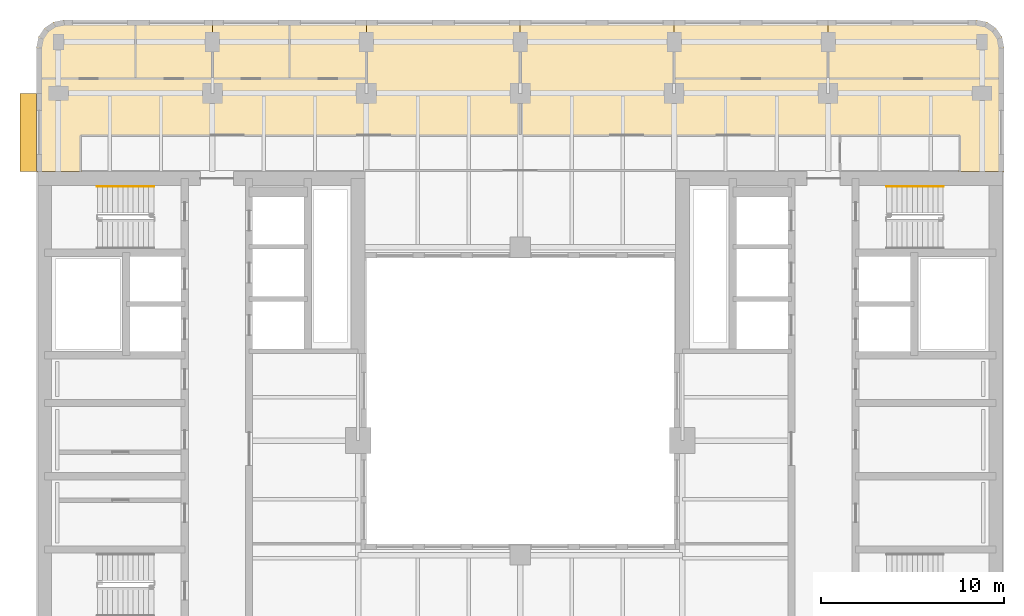
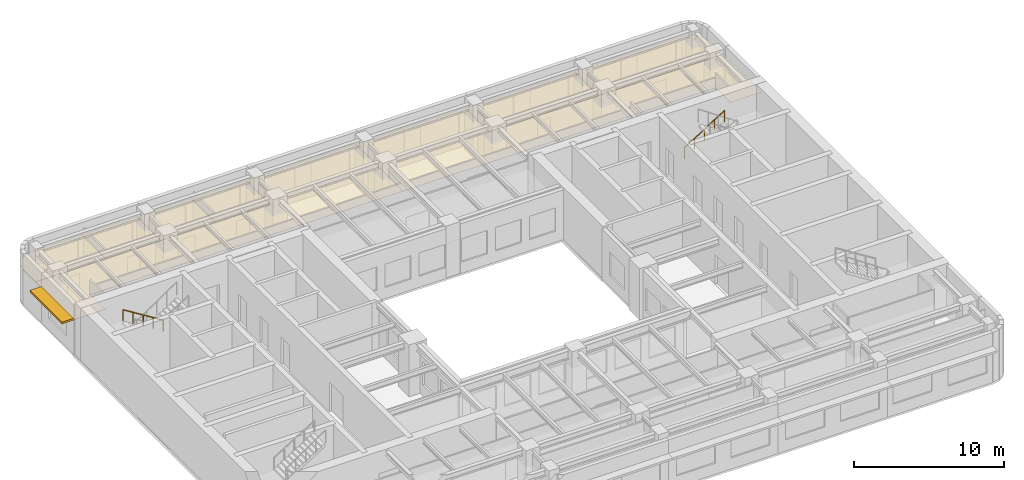
# One storey, part 11 of 11: 8 coverings, 2 railings, 1 shading device.
"""IFC4 building model written with IfcOpenShell, lengths in metres."""

from ifc_helpers import new_model, si_unit, direction, frame, origin, origin_2d, place, context, subcontext, project, spatial, polyline, rectangle, circle, outline, extrude, material, layer, layer_set, type_object, element, save


model = new_model("IFC4")

# Units and contexts
model_context = context("Model", 3, precision=1e-05, world=origin(), true_north=direction((0.0, 1.0)))
body_context = subcontext(model_context, "Body", "Model", "MODEL_VIEW")
ifc_project = project(units=[si_unit("LENGTHUNIT", "METRE"), si_unit("AREAUNIT", "SQUARE_METRE"), si_unit("VOLUMEUNIT", "CUBIC_METRE"), si_unit("PLANEANGLEUNIT", "RADIAN"), si_unit("MASSUNIT", "GRAM", prefix="KILO")], contexts=[model_context])

# Site, building, storey
site_placement = place(None, origin())
site = spatial("IfcSite", under=ifc_project, at=site_placement, CompositionType="ELEMENT")
building_placement = place(site_placement, origin())
building = spatial("IfcBuilding", under=site, at=building_placement, Name="Claustro Exchange Tower", CompositionType="ELEMENT")
storey_placement = place(building_placement, frame((0.0, 0.0, 190.199951171875)))
storey = spatial("IfcBuildingStorey", under=building, at=storey_placement, Name="L43", CompositionType="ELEMENT", Elevation=190.199951171875)

# Coverings
ifc_material_1 = material(Name="Perforated metal ceiling tiles", Category="steel")
ifc_layer_1 = layer(ifc_material_1, 0.030029296875)
ifc_layer_set_1 = layer_set([ifc_layer_1], Name="Perforated metal ceiling tiles")
covering_type_1 = type_object("IfcCoveringType", Name="CL1 suspended metal ceiling", PredefinedType="CEILING", material=ifc_layer_set_1)
covering_1_placement = place(storey_placement, frame((0.0, 0.0, 2.800048828125)))
element("IfcCovering", 1, at=covering_1_placement, inside=storey, type_object=covering_type_1, Name="Ceiling CL1 L43-15", PredefinedType="CEILING", context=body_context, shape_type="SweptSolid", body=[
    extrude(outline(polyline([(-1.125, 37.72509765625), (1.294921875, 37.72509765625), (1.294921875, 37.800048828125), (1.199951171875, 37.800048828125), (1.199951171875, 39.699951171875), (25.199951171875, 39.699951171875), (25.199951171875, 46.0), (16.800048828125, 46.0), (16.800048828125, 42.800048828125), (-1.199951171875, 42.800048828125), (-1.199951171875, 37.705078125), (-1.125, 37.705078125), (-1.125, 37.72509765625)])), origin(), (0.0, 0.0, 1.0), 0.030029296875),
])
ifc_material_2 = material(Name="Gypsum board ceiling", Category="gypsum board")
ifc_layer_2 = layer(ifc_material_2, 0.02490234375)
ifc_layer_set_2 = layer_set([ifc_layer_2], Name="Gypsum board ceiling")
covering_type_2 = type_object("IfcCoveringType", Name="CL2 plasterboard ceiling", PredefinedType="CEILING", material=ifc_layer_set_2)
covering_2_placement = place(storey_placement, frame((0.0, 0.0, 2.800048828125)))
element("IfcCovering", 2, at=covering_2_placement, inside=storey, type_object=covering_type_2, Name="Ceiling CL2 L43-16", PredefinedType="CEILING", context=body_context, shape_type="SweptSolid", body=[
    extrude(outline(polyline([(51.52490234375, 37.72509765625), (51.52490234375, 37.705078125), (51.60009765625, 37.705078125), (51.60009765625, 42.800048828125), (33.60009765625, 42.800048828125), (33.60009765625, 46.0), (25.199951171875, 46.0), (25.199951171875, 39.699951171875), (49.199951171875, 39.699951171875), (49.199951171875, 37.800048828125), (49.10498046875, 37.800048828125), (49.10498046875, 37.72509765625), (51.52490234375, 37.72509765625)])), origin(), (0.0, 0.0, 1.0), 0.02490234375),
])
covering_3_placement = place(storey_placement, frame((0.0, 0.0, 2.800048828125)))
element("IfcCovering", 3, at=covering_3_placement, inside=storey, type_object=covering_type_2, Name="Ceiling CL2 L43-17", PredefinedType="CEILING", context=body_context, shape_type="SweptSolid", body=[
    extrude(outline(polyline([(-1.199951171875, 44.5), (-1.199951171875, 42.800048828125), (4.199951171875, 42.800048828125), (4.199951171875, 46.0), (0.300048828125, 46.0), (-0.27392578125, 45.8857421875), (-0.7607421875, 45.560791015625), (-1.085693359375, 45.073974609375), (-1.199951171875, 44.5)])), origin(), (0.0, 0.0, 1.0), 0.02490234375),
])
covering_4_placement = place(storey_placement, frame((0.0, 0.0, 2.800048828125)))
element("IfcCovering", 4, at=covering_4_placement, inside=storey, type_object=covering_type_2, Name="Ceiling CL2 L43-18", PredefinedType="CEILING", context=body_context, shape_type="SweptSolid", body=[
    extrude(outline(polyline([(8.39990234375, 46.0), (4.199951171875, 46.0), (4.199951171875, 42.800048828125), (8.39990234375, 42.800048828125), (8.39990234375, 46.0)])), origin(), (0.0, 0.0, 1.0), 0.02490234375),
])
covering_5_placement = place(storey_placement, frame((0.0, 0.0, 2.800048828125)))
element("IfcCovering", 5, at=covering_5_placement, inside=storey, type_object=covering_type_2, Name="Ceiling CL2 L43-19", PredefinedType="CEILING", context=body_context, shape_type="SweptSolid", body=[
    extrude(outline(polyline([(12.60009765625, 46.0), (8.39990234375, 46.0), (8.39990234375, 42.800048828125), (12.60009765625, 42.800048828125), (12.60009765625, 46.0)])), origin(), (0.0, 0.0, 1.0), 0.02490234375),
])
covering_6_placement = place(storey_placement, frame((0.0, 0.0, 2.800048828125)))
element("IfcCovering", 6, at=covering_6_placement, inside=storey, type_object=covering_type_2, Name="Ceiling CL2 L43-20", PredefinedType="CEILING", context=body_context, shape_type="SweptSolid", body=[
    extrude(outline(polyline([(16.800048828125, 46.0), (12.60009765625, 46.0), (12.60009765625, 42.800048828125), (16.800048828125, 42.800048828125), (16.800048828125, 46.0)])), origin(), (0.0, 0.0, 1.0), 0.02490234375),
])
covering_7_placement = place(storey_placement, frame((0.0, 0.0, 2.800048828125)))
element("IfcCovering", 7, at=covering_7_placement, inside=storey, type_object=covering_type_2, Name="Ceiling CL2 L43-21", PredefinedType="CEILING", context=body_context, shape_type="SweptSolid", body=[
    extrude(outline(polyline([(42.0, 46.0), (33.60009765625, 46.0), (33.60009765625, 42.800048828125), (42.0, 42.800048828125), (42.0, 46.0)])), origin(), (0.0, 0.0, 1.0), 0.02490234375),
])
covering_8_placement = place(storey_placement, frame((0.0, 0.0, 2.800048828125)))
element("IfcCovering", 8, at=covering_8_placement, inside=storey, type_object=covering_type_2, Name="Ceiling CL2 L43-22", PredefinedType="CEILING", context=body_context, shape_type="SweptSolid", body=[
    extrude(outline(polyline([(50.10009765625, 46.0), (42.0, 46.0), (42.0, 42.800048828125), (51.60009765625, 42.800048828125), (51.60009765625, 44.5), (51.48583984375, 45.073974609375), (51.16064453125, 45.560791015625), (50.674072265625, 45.8857421875), (50.10009765625, 46.0)])), origin(), (0.0, 0.0, 1.0), 0.02490234375),
])

# Railings
ifc_material_3 = material(Name="Stainless steel tube", Category="steel")
railing_type = type_object("IfcRailingType", Name="HR1 900 stair handrail", PredefinedType="HANDRAIL", material=ifc_material_3)
railing_1_placement = place(storey_placement, frame((5.199951171875, 36.9150390625, 0.175048828125)))
element("IfcRailing", 9, at=railing_1_placement, inside=storey, type_object=railing_type, Name="Handrail HR1 stair STWB L43", PredefinedType="HANDRAIL", context=body_context, shape_type="SweptSolid", body=[
    extrude(circle(Radius=0.02392578125, at=origin_2d()), frame((0.0, 0.0, 0.8759765625), z_axis=(-0.847979421464, 0.0, 0.530029150871), x_axis=(0.0, -1.0, 0.0)), (0.0, 0.0, 1.0), 3.632080078125),
    extrude(circle(Radius=0.02099609375, at=origin_2d()), origin(), (0.0, 0.0, 1.0), 0.851806640625),
    extrude(circle(Radius=0.02099609375, at=origin_2d()), frame((-0.77001953125, 0.0, 0.481201171875)), (0.0, 0.0, 1.0), 0.851806640625),
    extrude(circle(Radius=0.02099609375, at=origin_2d()), frame((-1.5400390625, 0.0, 0.96240234375)), (0.0, 0.0, 1.0), 0.851806640625),
    extrude(circle(Radius=0.02099609375, at=origin_2d()), frame((-2.309814453125, 0.0, 1.44384765625)), (0.0, 0.0, 1.0), 0.851806640625),
    extrude(circle(Radius=0.02099609375, at=origin_2d()), frame((-3.079833984375, 0.0, 1.925048828125)), (0.0, 0.0, 1.0), 0.851806640625),
])
railing_2_placement = place(storey_placement, frame((45.199951171875, 36.9150390625, 0.175048828125)))
element("IfcRailing", 10, at=railing_2_placement, inside=storey, type_object=railing_type, Name="Handrail HR1 stair STEB L43", PredefinedType="HANDRAIL", context=body_context, shape_type="SweptSolid", body=[
    extrude(circle(Radius=0.02392578125, at=origin_2d()), frame((0.0, 0.0, 0.8759765625), z_axis=(0.847998304005, 0.0, 0.529998940003), x_axis=(0.0, 1.0, 0.0)), (0.0, 0.0, 1.0), 3.632080078125),
    extrude(circle(Radius=0.02099609375, at=origin_2d()), origin(), (0.0, 0.0, 1.0), 0.851806640625),
    extrude(circle(Radius=0.02099609375, at=origin_2d()), frame((0.77001953125, 0.0, 0.481201171875)), (0.0, 0.0, 1.0), 0.851806640625),
    extrude(circle(Radius=0.02099609375, at=origin_2d()), frame((1.5400390625, 0.0, 0.96240234375)), (0.0, 0.0, 1.0), 0.851806640625),
    extrude(circle(Radius=0.02099609375, at=origin_2d()), frame((2.31005859375, 0.0, 1.44384765625)), (0.0, 0.0, 1.0), 0.851806640625),
    extrude(circle(Radius=0.02099609375, at=origin_2d()), frame((3.080078125, 0.0, 1.925048828125)), (0.0, 0.0, 1.0), 0.851806640625),
])

# Shading device
ifc_material_4 = material(Name="Concrete HA-40 (C40/50), precast, white cement, acid-etched", Category="concrete")
ifc_layer_3 = layer(ifc_material_4, 0.14990234375)
ifc_layer_set_3 = layer_set([ifc_layer_3], Name="Concrete HA-40 (C40/50), precast, white cement, acid-etched")
shading_device_type = type_object("IfcShadingDeviceType", Name="SS2 900 precast concrete SUNSHADE", PredefinedType="SHUTTER", material=ifc_layer_set_3)
shading_device_placement = place(storey_placement, frame((-1.64990234375, 39.862548828125, 2.800048828125), z_axis=(0.0, 0.0, 1.0), x_axis=(0.0, 1.0, 0.0)))
element("IfcShadingDevice", 11, at=shading_device_placement, inside=storey, type_object=shading_device_type, Name="Precast SUNSHADE SS2 L43", PredefinedType="SHUTTER", context=body_context, shape_type="SweptSolid", body=[
    extrude(rectangle(XDim=4.27490234375, YDim=0.89990234375, at=origin_2d()), origin(), (0.0, 0.0, 1.0), 0.14990234375),
])

save(model, "model.ifc")
